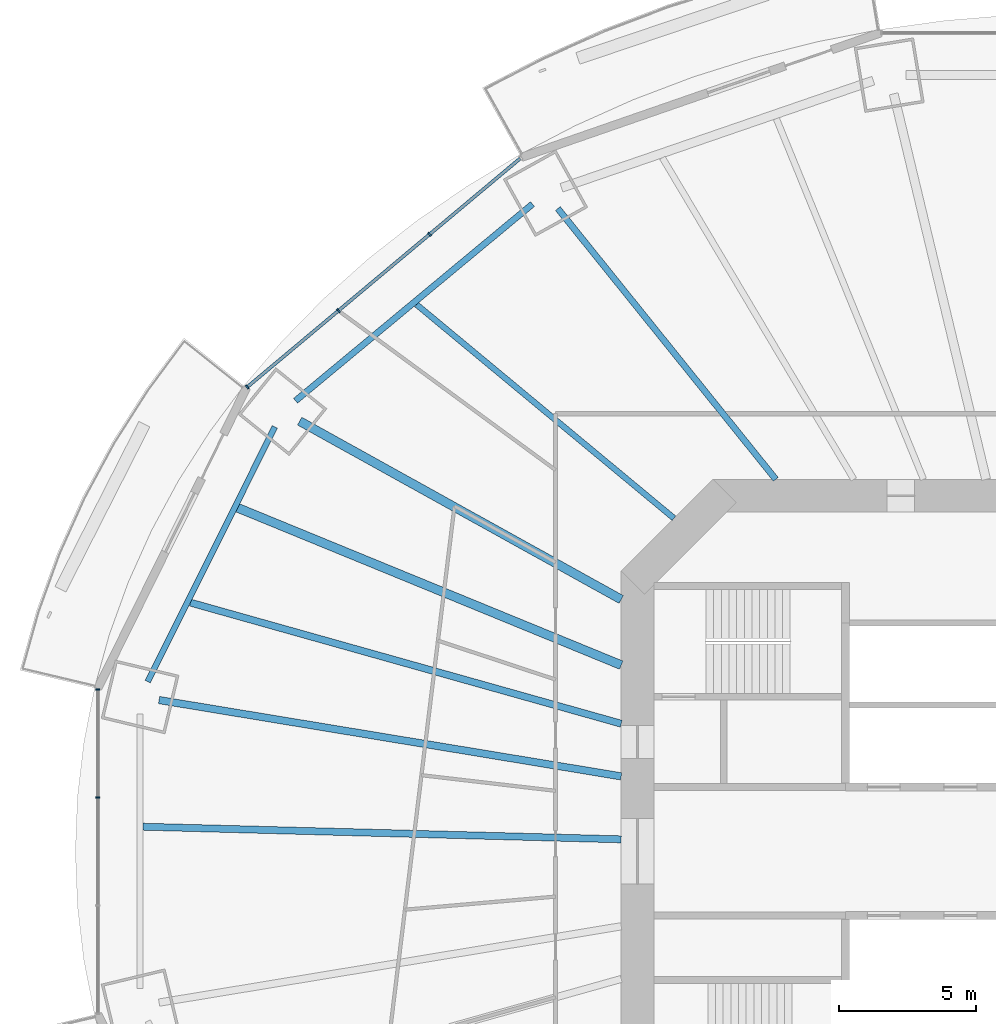
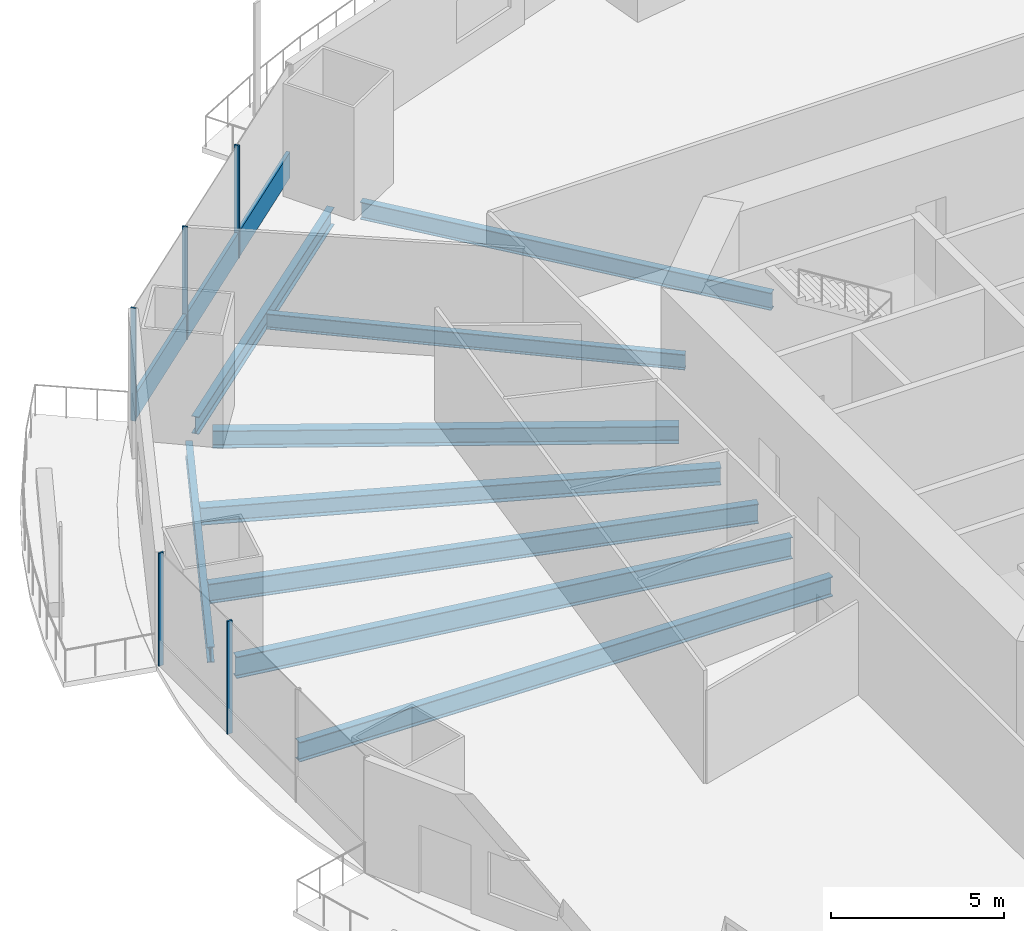
# One storey, part 6 of 23: 9 beams, 6 members, 2 elements without a shape of their own.
"""IFC4 building model written with IfcOpenShell, lengths in metres."""

from ifc_helpers import new_model, si_unit, direction, frame, origin, origin_2d, place, context, subcontext, project, spatial, rectangle, i_section, extrude, material, material_profile, profile_set, type_object, element, aggregate, save


model = new_model("IFC4")

# Units and contexts
model_context = context("Model", 3, precision=1e-05, world=origin(), true_north=direction((0.0, 1.0)))
body_context = subcontext(model_context, "Body", "Model", "MODEL_VIEW")
ifc_project = project(units=[si_unit("LENGTHUNIT", "METRE"), si_unit("AREAUNIT", "SQUARE_METRE"), si_unit("VOLUMEUNIT", "CUBIC_METRE"), si_unit("PLANEANGLEUNIT", "RADIAN"), si_unit("MASSUNIT", "GRAM", prefix="KILO")], contexts=[model_context])

# Site, building, storey
site_placement = place(None, origin())
site = spatial("IfcSite", under=ifc_project, at=site_placement, CompositionType="ELEMENT")
building_placement = place(site_placement, origin())
building = spatial("IfcBuilding", under=site, at=building_placement, Name="Marenthal Gate Tower", CompositionType="ELEMENT")
storey_placement = place(building_placement, frame((0.0, 0.0, 49.60009765625)))
storey = spatial("IfcBuildingStorey", under=building, at=storey_placement, Name="L08", CompositionType="ELEMENT", Elevation=49.60009765625)

# Curtain wall, members
ifc_material_1 = material(Name="Aluminium and glass", Category="aluminium")
curtain_wall_type = type_object("IfcCurtainWallType", Name="Curtain wall typical low", PredefinedType="NOTDEFINED", material=ifc_material_1)
curtain_wall_1_placement = place(storey_placement, origin())
curtain_wall_1 = element("IfcCurtainWall", 1, at=curtain_wall_1_placement, inside=storey, type_object=curtain_wall_type, Name="Curtain wall L08 bay 6", PredefinedType="NOTDEFINED")
ifc_material_2 = material(Name="Aluminium", Category="aluminium")
ifc_material_profile_1 = material_profile(ifc_material_2, rectangle(XDim=0.159912109375, YDim=0.06005859375, at=origin_2d()), Name="60x160 aluminium mullion")
ifc_profile_set_1 = profile_set([ifc_material_profile_1], Name="Aluminium")
member_type_1 = type_object("IfcMemberType", Name="Mullion 60x160 typical low", PredefinedType="MULLION", material=ifc_profile_set_1)
member_1_placement = place(storey_placement, frame((-23.6025390625, 22.5595703125, 0.0), z_axis=(0.0, 0.0, 1.0), x_axis=(0.642047277641, -0.766665046336, 0.0)))
member_1 = element("IfcMember", 2, at=member_1_placement, type_object=member_type_1, Name="Mullion L08 bay 6.2", PredefinedType="MULLION", context=body_context, shape_type="SweptSolid", body=[
    extrude(rectangle(XDim=0.159912109375, YDim=0.06005859375, at=origin_2d()), origin(), (0.0, 0.0, 1.0), 3.969970703125),
])
member_2_placement = place(storey_placement, frame((-26.938232421875, 19.76611328125, 0.0), z_axis=(0.0, 0.0, 1.0), x_axis=(0.642047277641, -0.766665046336, 0.0)))
member_2 = element("IfcMember", 3, at=member_2_placement, type_object=member_type_1, Name="Mullion L08 bay 6.3", PredefinedType="MULLION", context=body_context, shape_type="SweptSolid", body=[
    extrude(rectangle(XDim=0.159912109375, YDim=0.06005859375, at=origin_2d()), origin(), (0.0, 0.0, 1.0), 3.969970703125),
])
member_3_placement = place(storey_placement, frame((-30.274169921875, 16.972412109375, 0.0), z_axis=(0.0, 0.0, 1.0), x_axis=(0.642047277641, -0.766665046336, 0.0)))
member_3 = element("IfcMember", 4, at=member_3_placement, type_object=member_type_1, Name="Mullion L08 bay 6.4", PredefinedType="MULLION", context=body_context, shape_type="SweptSolid", body=[
    extrude(rectangle(XDim=0.159912109375, YDim=0.06005859375, at=origin_2d()), origin(), (0.0, 0.0, 1.0), 3.969970703125),
])

curtain_wall_2_placement = place(storey_placement, origin())
curtain_wall_2 = element("IfcCurtainWall", 5, at=curtain_wall_2_placement, inside=storey, type_object=curtain_wall_type, Name="Curtain wall L08 bay 8", PredefinedType="NOTDEFINED")
member_4_placement = place(storey_placement, frame((-35.73779296875, 5.923095703125, 0.0), z_axis=(0.0, 0.0, 1.0), x_axis=(1.0, 0.0, 0.0)))
member_4 = element("IfcMember", 6, at=member_4_placement, type_object=member_type_1, Name="Mullion L08 bay 8.1", PredefinedType="MULLION", context=body_context, shape_type="SweptSolid", body=[
    extrude(rectangle(XDim=0.159912109375, YDim=0.06005859375, at=origin_2d()), origin(), (0.0, 0.0, 1.0), 3.969970703125),
])
member_5_placement = place(storey_placement, frame((-35.73779296875, 1.974365234375, 0.0), z_axis=(0.0, 0.0, 1.0), x_axis=(1.0, 0.0, 0.0)))
member_5 = element("IfcMember", 7, at=member_5_placement, type_object=member_type_1, Name="Mullion L08 bay 8.2", PredefinedType="MULLION", context=body_context, shape_type="SweptSolid", body=[
    extrude(rectangle(XDim=0.159912109375, YDim=0.06005859375, at=origin_2d()), origin(), (0.0, 0.0, 1.0), 3.969970703125),
])
aggregate(curtain_wall_2, [member_4, member_5])

# Member
ifc_material_3 = material(Name="Aluminium", Category="aluminium")
ifc_material_profile_2 = material_profile(ifc_material_3, rectangle(XDim=0.1201171875, YDim=0.89990234375, at=origin_2d()), Name="120x900 aluminium transom")
ifc_profile_set_2 = profile_set([ifc_material_profile_2], Name="Aluminium")
member_type_2 = type_object("IfcMemberType", Name="Transom 120x900 typical low", PredefinedType="USERDEFINED", material=ifc_profile_set_2)
member_6_placement = place(storey_placement, frame((-20.289794921875, 25.333740234375, 0.449951171875), z_axis=(-0.766672707648, -0.6420381292, 0.0), x_axis=(0.6420381292, -0.766672707648, 0.0)))
member_6 = element("IfcMember", 8, at=member_6_placement, type_object=member_type_2, Name="Transom L08 bay 6", ObjectType="TRANSOM", PredefinedType="USERDEFINED", context=body_context, shape_type="SweptSolid", body=[
    extrude(rectangle(XDim=0.1201171875, YDim=0.89990234375, at=origin_2d()), origin(), (0.0, 0.0, 1.0), 12.9931640625),
])

aggregate(curtain_wall_1, [member_1, member_2, member_3, member_6])

# Beams
ifc_material_4 = material(Name="Steel S355", Category="steel")
ifc_material_profile_3 = material_profile(ifc_material_4, i_section(OverallWidth=0.2119140625, OverallDepth=0.5439453125, WebThickness=0.01318359375, FlangeThickness=0.021240234375, FilletRadius=0.0126953125, at=origin_2d()), Name="W530X123")
ifc_profile_set_3 = profile_set([ifc_material_profile_3], Name="Steel S355")
beam_type_1 = type_object("IfcBeamType", Name="W530X123 beam", PredefinedType="BEAM", material=ifc_profile_set_3)
beam_1_placement = place(storey_placement, frame((-24.085205078125, 19.99267578125, -0.4521484375), z_axis=(0.769446518411, -0.638711245639, 0.0), x_axis=(0.638711245639, 0.769446518411, 0.0)))
element("IfcBeam", 9, at=beam_1_placement, inside=storey, type_object=beam_type_1, Name="BM-L08-25", PredefinedType="BEAM", context=body_context, shape_type="SweptSolid", body=[
    extrude(i_section(OverallWidth=0.2119140625, OverallDepth=0.5439453125, WebThickness=0.01318359375, FlangeThickness=0.021240234375, FilletRadius=0.0126953125, at=origin_2d()), origin(), (0.0, 0.0, 1.0), 12.235595703125),
])
beam_2_placement = place(storey_placement, frame((-29.2626953125, 15.515380859375, -0.4521484375), z_axis=(-0.446499954542, -0.894783655748, 0.0), x_axis=(0.894783655748, -0.446499954542, 0.0)))
element("IfcBeam", 10, at=beam_2_placement, inside=storey, type_object=beam_type_1, Name="BM-L08-47", PredefinedType="BEAM", context=body_context, shape_type="SweptSolid", body=[
    extrude(i_section(OverallWidth=0.2119140625, OverallDepth=0.5439453125, WebThickness=0.01318359375, FlangeThickness=0.021240234375, FilletRadius=0.0126953125, at=origin_2d()), origin(), (0.0, 0.0, 1.0), 10.402099609375),
])
ifc_material_5 = material(Name="Steel S355", Category="steel")
ifc_material_profile_4 = material_profile(ifc_material_5, i_section(OverallWidth=0.22900390625, OverallDepth=0.612060546875, WebThickness=0.011962890625, FlangeThickness=0.01953125, FilletRadius=0.0126953125, at=origin_2d()), Name="W610X125")
ifc_profile_set_4 = profile_set([ifc_material_profile_4], Name="Steel S355")
beam_type_2 = type_object("IfcBeamType", Name="W610X125 beam", PredefinedType="BEAM", material=ifc_profile_set_4)
beam_3_placement = place(storey_placement, frame((-18.916015625, 23.49951171875, -0.486083984375), z_axis=(0.627042105716, -0.778985364214, 0.0), x_axis=(0.778985364214, 0.627042105716, 0.0)))
element("IfcBeam", 11, at=beam_3_placement, inside=storey, type_object=beam_type_2, Name="BM-L08-06", PredefinedType="BEAM", context=body_context, shape_type="SweptSolid", body=[
    extrude(i_section(OverallWidth=0.22900390625, OverallDepth=0.612060546875, WebThickness=0.011962890625, FlangeThickness=0.01953125, FilletRadius=0.0126953125, at=origin_2d()), origin(), (0.0, 0.0, 1.0), 12.7080078125),
])
beam_4_placement = place(storey_placement, frame((-19.8427734375, 23.6630859375, -0.486083984375), z_axis=(-0.76943582663, -0.638724125658, 0.0), x_axis=(0.638724125658, -0.76943582663, 0.0)))
element("IfcBeam", 12, at=beam_4_placement, inside=storey, type_object=beam_type_2, Name="BM-L08-46", PredefinedType="BEAM", context=body_context, shape_type="SweptSolid", body=[
    extrude(i_section(OverallWidth=0.22900390625, OverallDepth=0.612060546875, WebThickness=0.011962890625, FlangeThickness=0.01953125, FilletRadius=0.0126953125, at=origin_2d()), origin(), (0.0, 0.0, 1.0), 11.257080078125),
])
ifc_material_6 = material(Name="Steel S355", Category="steel")
ifc_material_profile_5 = material_profile(ifc_material_6, i_section(OverallWidth=0.324951171875, OverallDepth=0.612060546875, WebThickness=0.0126953125, FlangeThickness=0.01904296875, FilletRadius=0.0126953125, at=origin_2d()), Name="W610X155")
ifc_profile_set_5 = profile_set([ifc_material_profile_5], Name="Steel S355")
beam_type_3 = type_object("IfcBeamType", Name="W610X155 beam", PredefinedType="BEAM", material=ifc_profile_set_5)
beam_5_placement = place(storey_placement, frame((-28.355712890625, 15.727294921875, -0.486083984375), z_axis=(0.874492882968, -0.485038346565, 0.0), x_axis=(0.485038346565, 0.874492882968, 0.0)))
element("IfcBeam", 13, at=beam_5_placement, inside=storey, type_object=beam_type_3, Name="BM-L08-07", PredefinedType="BEAM", context=body_context, shape_type="SweptSolid", body=[
    extrude(i_section(OverallWidth=0.324951171875, OverallDepth=0.612060546875, WebThickness=0.0126953125, FlangeThickness=0.01904296875, FilletRadius=0.0126953125, at=origin_2d()), origin(), (0.0, 0.0, 1.0), 13.44287109375),
])
beam_6_placement = place(storey_placement, frame((-30.6201171875, 12.55810546875, -0.486083984375), z_axis=(0.925210391668, -0.379454517894, 0.0), x_axis=(0.379454517894, 0.925210391668, 0.0)))
element("IfcBeam", 14, at=beam_6_placement, inside=storey, type_object=beam_type_3, Name="BM-L08-26", PredefinedType="BEAM", context=body_context, shape_type="SweptSolid", body=[
    extrude(i_section(OverallWidth=0.324951171875, OverallDepth=0.612060546875, WebThickness=0.0126953125, FlangeThickness=0.01904296875, FilletRadius=0.0126953125, at=origin_2d()), origin(), (0.0, 0.0, 1.0), 15.1533203125),
])
ifc_material_7 = material(Name="Steel S355", Category="steel")
ifc_material_profile_6 = material_profile(ifc_material_7, i_section(OverallWidth=0.257080078125, OverallDepth=0.693115234375, WebThickness=0.014404296875, FlangeThickness=0.023681640625, FilletRadius=0.015380859375, at=origin_2d()), Name="W690X170")
ifc_profile_set_6 = profile_set([ifc_material_profile_6], Name="Steel S355")
beam_type_4 = type_object("IfcBeamType", Name="W690X170 beam", PredefinedType="BEAM", material=ifc_profile_set_6)
beam_7_placement = place(storey_placement, frame((-32.349365234375, 9.092529296875, -0.526611328125), z_axis=(0.962694320478, -0.27059128833, 0.0), x_axis=(0.27059128833, 0.962694320478, 0.0)))
element("IfcBeam", 15, at=beam_7_placement, inside=storey, type_object=beam_type_4, Name="BM-L08-27", PredefinedType="BEAM", context=body_context, shape_type="SweptSolid", body=[
    extrude(i_section(OverallWidth=0.257080078125, OverallDepth=0.693115234375, WebThickness=0.014404296875, FlangeThickness=0.023681640625, FilletRadius=0.015380859375, at=origin_2d()), origin(), (0.0, 0.0, 1.0), 16.359619140625),
])
beam_8_placement = place(storey_placement, frame((-34.082275390625, 0.900390625, -0.526611328125), z_axis=(0.999651121674, -0.026412779787, 0.0), x_axis=(0.026412779787, 0.999651121674, 0.0)))
element("IfcBeam", 16, at=beam_8_placement, inside=storey, type_object=beam_type_4, Name="BM-L08-28", PredefinedType="BEAM", context=body_context, shape_type="SweptSolid", body=[
    extrude(i_section(OverallWidth=0.257080078125, OverallDepth=0.693115234375, WebThickness=0.014404296875, FlangeThickness=0.023681640625, FilletRadius=0.015380859375, at=origin_2d()), origin(), (0.0, 0.0, 1.0), 17.48828125),
])
ifc_material_8 = material(Name="Steel S355", Category="steel")
ifc_material_profile_7 = material_profile(ifc_material_8, i_section(OverallWidth=0.26708984375, OverallDepth=0.761962890625, WebThickness=0.014404296875, FlangeThickness=0.021484375, FilletRadius=0.0166015625, at=origin_2d()), Name="W760X173")
ifc_profile_set_7 = profile_set([ifc_material_profile_7], Name="Steel S355")
beam_type_5 = type_object("IfcBeamType", Name="W760X173 beam", PredefinedType="BEAM", material=ifc_profile_set_7)
beam_9_placement = place(storey_placement, frame((-33.494384765625, 5.530517578125, -0.56103515625), z_axis=(0.986640584699, -0.162912113192, 0.0), x_axis=(0.162912113192, 0.986640584699, 0.0)))
element("IfcBeam", 17, at=beam_9_placement, inside=storey, type_object=beam_type_5, Name="BM-L08-08", PredefinedType="BEAM", context=body_context, shape_type="SweptSolid", body=[
    extrude(i_section(OverallWidth=0.26708984375, OverallDepth=0.761962890625, WebThickness=0.014404296875, FlangeThickness=0.021484375, FilletRadius=0.0166015625, at=origin_2d()), origin(), (0.0, 0.0, 1.0), 17.123046875),
])

save(model, "model.ifc")
